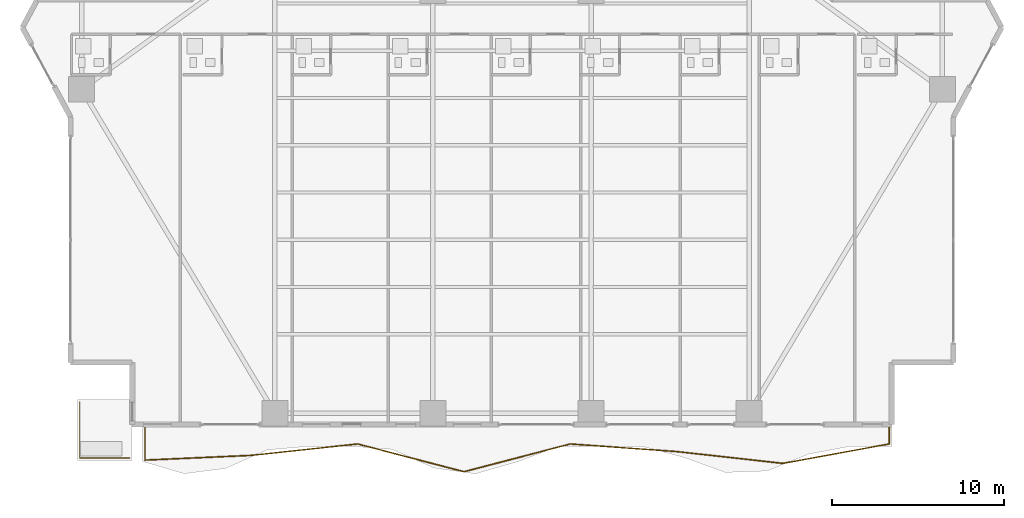
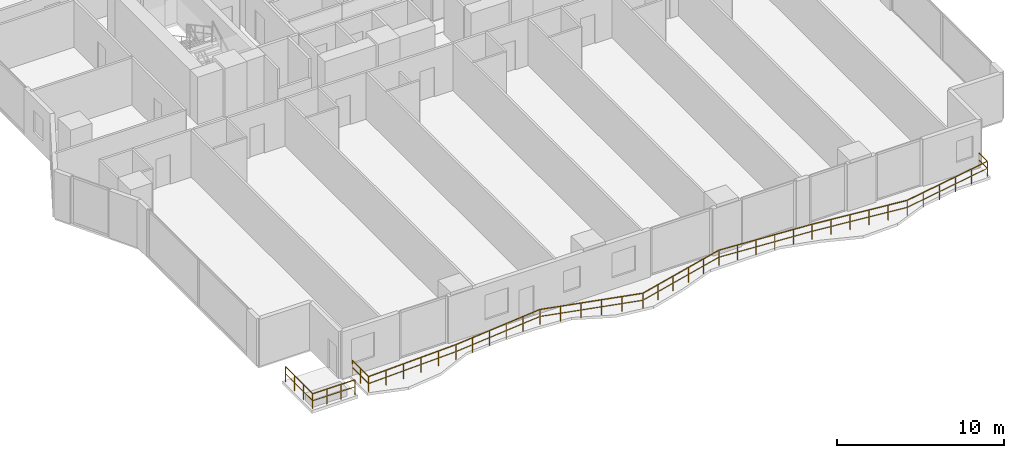
# One storey, part 24 of 28: 2 railings.
"""IFC4 building model written with IfcOpenShell, lengths in metres."""

from ifc_helpers import new_model, si_unit, direction, frame, origin, origin_2d, place, context, subcontext, project, spatial, rectangle, extrude, material, type_object, element, save


model = new_model("IFC4")

# Units and contexts
model_context = context("Model", 3, precision=1e-05, world=origin(), true_north=direction((0.0, 1.0)))
body_context = subcontext(model_context, "Body", "Model", "MODEL_VIEW")
ifc_project = project(units=[si_unit("LENGTHUNIT", "METRE"), si_unit("AREAUNIT", "SQUARE_METRE"), si_unit("VOLUMEUNIT", "CUBIC_METRE"), si_unit("PLANEANGLEUNIT", "RADIAN"), si_unit("MASSUNIT", "GRAM", prefix="KILO")], contexts=[model_context])

# Site, building, storey
site_placement = place(None, origin())
site = spatial("IfcSite", under=ifc_project, at=site_placement, CompositionType="ELEMENT")
building_placement = place(site_placement, origin())
building = spatial("IfcBuilding", under=site, at=building_placement, Name="Zuhayl Quay Hotel", CompositionType="ELEMENT")
storey_placement = place(building_placement, frame((0.0, 0.0, 34.89990234375)))
storey = spatial("IfcBuildingStorey", under=building, at=storey_placement, Name="L07", CompositionType="ELEMENT", Elevation=34.89990234375)

# Railings
ifc_material = material(Name="Anodised Aluminium and Laminated Glass", Category="aluminium")
railing_type = type_object("IfcRailingType", Name="RL_EXT_BAL_1100", PredefinedType="BALUSTRADE", material=ifc_material)
railing_1_placement = place(storey_placement, frame((-21.360107421875, -23.219970703125, 0.0)))
element("IfcRailing", 1, at=railing_1_placement, inside=storey, type_object=railing_type, Name="L07 Balcony and Terrace Guard GR_L07_BAL_S", PredefinedType="BALUSTRADE", context=body_context, shape_type="SweptSolid", body=[
    extrude(rectangle(XDim=0.048095703125, YDim=0.048095703125, at=origin_2d()), frame((0.0, 0.0, 1.09619140625), z_axis=(0.0, -1.0, 0.0), x_axis=(1.0, 0.0, 0.0)), (0.0, 0.0, 1.0), 1.96044921875),
    extrude(rectangle(XDim=0.0361328125, YDim=0.0361328125, at=origin_2d()), frame((0.0, 0.0, 0.58251953125), z_axis=(0.0, -1.0, 0.0), x_axis=(1.0, 0.0, 0.0)), (0.0, 0.0, 1.0), 1.96044921875),
    extrude(rectangle(XDim=0.048095703125, YDim=0.048095703125, at=origin_2d()), frame((0.0, -1.96044921875, 1.09619140625), z_axis=(0.999004383164, 0.044612133092, 0.0), x_axis=(-0.044612133092, 0.999004383164, 0.0)), (0.0, 0.0, 1.0), 6.19482421875),
    extrude(rectangle(XDim=0.0361328125, YDim=0.0361328125, at=origin_2d()), frame((0.0, -1.96044921875, 0.58251953125), z_axis=(0.999004383164, 0.044612133092, 0.0), x_axis=(-0.044612133092, 0.999004383164, 0.0)), (0.0, 0.0, 1.0), 6.19482421875),
    extrude(rectangle(XDim=0.048095703125, YDim=0.048095703125, at=origin_2d()), frame((6.188720703125, -1.68408203125, 1.09619140625), z_axis=(0.994291927159, 0.106693784199, 0.0), x_axis=(-0.106693784199, 0.994291927159, 0.0)), (0.0, 0.0, 1.0), 6.22412109375),
    extrude(rectangle(XDim=0.0361328125, YDim=0.0361328125, at=origin_2d()), frame((6.188720703125, -1.68408203125, 0.58251953125), z_axis=(0.994291927159, 0.106693784199, 0.0), x_axis=(-0.106693784199, 0.994291927159, 0.0)), (0.0, 0.0, 1.0), 6.22412109375),
    extrude(rectangle(XDim=0.048095703125, YDim=0.048095703125, at=origin_2d()), frame((12.377197265625, -1.02001953125, 1.09619140625), z_axis=(0.96759659601, -0.252501143343, 0.0), x_axis=(0.252501143343, 0.96759659601, 0.0)), (0.0, 0.0, 1.0), 6.39599609375),
    extrude(rectangle(XDim=0.0361328125, YDim=0.0361328125, at=origin_2d()), frame((12.377197265625, -1.02001953125, 0.58251953125), z_axis=(0.96759659601, -0.252501143343, 0.0), x_axis=(0.252501143343, 0.96759659601, 0.0)), (0.0, 0.0, 1.0), 6.39599609375),
    extrude(rectangle(XDim=0.048095703125, YDim=0.048095703125, at=origin_2d()), frame((18.56591796875, -2.635009765625, 1.09619140625), z_axis=(0.967594162214, 0.252510469585, 0.0), x_axis=(-0.252510469585, 0.967594162214, 0.0)), (0.0, 0.0, 1.0), 6.395751953125),
    extrude(rectangle(XDim=0.0361328125, YDim=0.0361328125, at=origin_2d()), frame((18.56591796875, -2.635009765625, 0.58251953125), z_axis=(0.967594162214, 0.252510469585, 0.0), x_axis=(-0.252510469585, 0.967594162214, 0.0)), (0.0, 0.0, 1.0), 6.395751953125),
    extrude(rectangle(XDim=0.048095703125, YDim=0.048095703125, at=origin_2d()), frame((24.75439453125, -1.02001953125, 1.09619140625), z_axis=(0.99744369741, -0.07145677362, 0.0), x_axis=(0.07145677362, 0.99744369741, 0.0)), (0.0, 0.0, 1.0), 6.20458984375),
    extrude(rectangle(XDim=0.0361328125, YDim=0.0361328125, at=origin_2d()), frame((24.75439453125, -1.02001953125, 0.58251953125), z_axis=(0.99744369741, -0.07145677362, 0.0), x_axis=(0.07145677362, 0.99744369741, 0.0)), (0.0, 0.0, 1.0), 6.20458984375),
    extrude(rectangle(XDim=0.048095703125, YDim=0.048095703125, at=origin_2d()), frame((30.943115234375, -1.46337890625, 1.09619140625), z_axis=(0.993915730952, -0.110143178485, 0.0), x_axis=(0.110143178485, 0.993915730952, 0.0)), (0.0, 0.0, 1.0), 6.226318359375),
    extrude(rectangle(XDim=0.0361328125, YDim=0.0361328125, at=origin_2d()), frame((30.943115234375, -1.46337890625, 0.58251953125), z_axis=(0.993915730952, -0.110143178485, 0.0), x_axis=(0.110143178485, 0.993915730952, 0.0)), (0.0, 0.0, 1.0), 6.226318359375),
    extrude(rectangle(XDim=0.048095703125, YDim=0.048095703125, at=origin_2d()), frame((37.131591796875, -2.149169921875, 1.09619140625), z_axis=(0.983758568026, 0.179496740458, 0.0), x_axis=(-0.179496740458, 0.983758568026, 0.0)), (0.0, 0.0, 1.0), 6.29052734375),
    extrude(rectangle(XDim=0.0361328125, YDim=0.0361328125, at=origin_2d()), frame((37.131591796875, -2.149169921875, 0.58251953125), z_axis=(0.983758568026, 0.179496740458, 0.0), x_axis=(-0.179496740458, 0.983758568026, 0.0)), (0.0, 0.0, 1.0), 6.29052734375),
    extrude(rectangle(XDim=0.048095703125, YDim=0.048095703125, at=origin_2d()), frame((43.320068359375, -1.02001953125, 1.09619140625), z_axis=(0.0, 1.0, 0.0), x_axis=(-1.0, 0.0, 0.0)), (0.0, 0.0, 1.0), 1.02001953125),
    extrude(rectangle(XDim=0.0361328125, YDim=0.0361328125, at=origin_2d()), frame((43.320068359375, -1.02001953125, 0.58251953125), z_axis=(0.0, 1.0, 0.0), x_axis=(-1.0, 0.0, 0.0)), (0.0, 0.0, 1.0), 1.02001953125),
    extrude(rectangle(XDim=0.0419921875, YDim=0.0419921875, at=origin_2d()), origin(), (0.0, 0.0, 1.0), 1.072021484375),
    extrude(rectangle(XDim=0.0419921875, YDim=0.0419921875, at=origin_2d()), frame((0.0, -0.980224609375, 0.0)), (0.0, 0.0, 1.0), 1.072021484375),
    extrude(rectangle(XDim=0.0419921875, YDim=0.0419921875, at=origin_2d()), frame((0.0, -1.96044921875, 0.0)), (0.0, 0.0, 1.0), 1.072021484375),
    extrude(rectangle(XDim=0.0419921875, YDim=0.0419921875, at=origin_2d()), frame((1.23779296875, -1.9052734375, 0.0)), (0.0, 0.0, 1.0), 1.072021484375),
    extrude(rectangle(XDim=0.0419921875, YDim=0.0419921875, at=origin_2d()), frame((2.4755859375, -1.849853515625, 0.0)), (0.0, 0.0, 1.0), 1.072021484375),
    extrude(rectangle(XDim=0.0419921875, YDim=0.0419921875, at=origin_2d()), frame((3.713134765625, -1.794677734375, 0.0)), (0.0, 0.0, 1.0), 1.072021484375),
    extrude(rectangle(XDim=0.0419921875, YDim=0.0419921875, at=origin_2d()), frame((4.950927734375, -1.7392578125, 0.0)), (0.0, 0.0, 1.0), 1.072021484375),
    extrude(rectangle(XDim=0.0419921875, YDim=0.0419921875, at=origin_2d()), frame((6.188720703125, -1.68408203125, 0.0)), (0.0, 0.0, 1.0), 1.072021484375),
    extrude(rectangle(XDim=0.0419921875, YDim=0.0419921875, at=origin_2d()), frame((7.426513671875, -1.55126953125, 0.0)), (0.0, 0.0, 1.0), 1.072021484375),
    extrude(rectangle(XDim=0.0419921875, YDim=0.0419921875, at=origin_2d()), frame((8.6640625, -1.41845703125, 0.0)), (0.0, 0.0, 1.0), 1.072021484375),
    extrude(rectangle(XDim=0.0419921875, YDim=0.0419921875, at=origin_2d()), frame((9.90185546875, -1.28564453125, 0.0)), (0.0, 0.0, 1.0), 1.072021484375),
    extrude(rectangle(XDim=0.0419921875, YDim=0.0419921875, at=origin_2d()), frame((11.139404296875, -1.15283203125, 0.0)), (0.0, 0.0, 1.0), 1.072021484375),
    extrude(rectangle(XDim=0.0419921875, YDim=0.0419921875, at=origin_2d()), frame((12.377197265625, -1.02001953125, 0.0)), (0.0, 0.0, 1.0), 1.072021484375),
    extrude(rectangle(XDim=0.0419921875, YDim=0.0419921875, at=origin_2d()), frame((13.614990234375, -1.343017578125, 0.0)), (0.0, 0.0, 1.0), 1.072021484375),
    extrude(rectangle(XDim=0.0419921875, YDim=0.0419921875, at=origin_2d()), frame((14.852783203125, -1.666015625, 0.0)), (0.0, 0.0, 1.0), 1.072021484375),
    extrude(rectangle(XDim=0.0419921875, YDim=0.0419921875, at=origin_2d()), frame((16.09033203125, -1.989013671875, 0.0)), (0.0, 0.0, 1.0), 1.072021484375),
    extrude(rectangle(XDim=0.0419921875, YDim=0.0419921875, at=origin_2d()), frame((17.328125, -2.31201171875, 0.0)), (0.0, 0.0, 1.0), 1.072021484375),
    extrude(rectangle(XDim=0.0419921875, YDim=0.0419921875, at=origin_2d()), frame((18.56591796875, -2.635009765625, 0.0)), (0.0, 0.0, 1.0), 1.072021484375),
    extrude(rectangle(XDim=0.0419921875, YDim=0.0419921875, at=origin_2d()), frame((19.8037109375, -2.31201171875, 0.0)), (0.0, 0.0, 1.0), 1.072021484375),
    extrude(rectangle(XDim=0.0419921875, YDim=0.0419921875, at=origin_2d()), frame((21.041259765625, -1.989013671875, 0.0)), (0.0, 0.0, 1.0), 1.072021484375),
    extrude(rectangle(XDim=0.0419921875, YDim=0.0419921875, at=origin_2d()), frame((22.279052734375, -1.666015625, 0.0)), (0.0, 0.0, 1.0), 1.072021484375),
    extrude(rectangle(XDim=0.0419921875, YDim=0.0419921875, at=origin_2d()), frame((23.5166015625, -1.343017578125, 0.0)), (0.0, 0.0, 1.0), 1.072021484375),
    extrude(rectangle(XDim=0.0419921875, YDim=0.0419921875, at=origin_2d()), frame((24.75439453125, -1.02001953125, 0.0)), (0.0, 0.0, 1.0), 1.072021484375),
    extrude(rectangle(XDim=0.0419921875, YDim=0.0419921875, at=origin_2d()), frame((25.9921875, -1.108642578125, 0.0)), (0.0, 0.0, 1.0), 1.072021484375),
    extrude(rectangle(XDim=0.0419921875, YDim=0.0419921875, at=origin_2d()), frame((27.22998046875, -1.197265625, 0.0)), (0.0, 0.0, 1.0), 1.072021484375),
    extrude(rectangle(XDim=0.0419921875, YDim=0.0419921875, at=origin_2d()), frame((28.467529296875, -1.2861328125, 0.0)), (0.0, 0.0, 1.0), 1.072021484375),
    extrude(rectangle(XDim=0.0419921875, YDim=0.0419921875, at=origin_2d()), frame((29.705322265625, -1.374755859375, 0.0)), (0.0, 0.0, 1.0), 1.072021484375),
    extrude(rectangle(XDim=0.0419921875, YDim=0.0419921875, at=origin_2d()), frame((30.943115234375, -1.46337890625, 0.0)), (0.0, 0.0, 1.0), 1.072021484375),
    extrude(rectangle(XDim=0.0419921875, YDim=0.0419921875, at=origin_2d()), frame((32.180908203125, -1.6005859375, 0.0)), (0.0, 0.0, 1.0), 1.072021484375),
    extrude(rectangle(XDim=0.0419921875, YDim=0.0419921875, at=origin_2d()), frame((33.41845703125, -1.73779296875, 0.0)), (0.0, 0.0, 1.0), 1.072021484375),
    extrude(rectangle(XDim=0.0419921875, YDim=0.0419921875, at=origin_2d()), frame((34.65625, -1.874755859375, 0.0)), (0.0, 0.0, 1.0), 1.072021484375),
    extrude(rectangle(XDim=0.0419921875, YDim=0.0419921875, at=origin_2d()), frame((35.893798828125, -2.011962890625, 0.0)), (0.0, 0.0, 1.0), 1.072021484375),
    extrude(rectangle(XDim=0.0419921875, YDim=0.0419921875, at=origin_2d()), frame((37.131591796875, -2.149169921875, 0.0)), (0.0, 0.0, 1.0), 1.072021484375),
    extrude(rectangle(XDim=0.0419921875, YDim=0.0419921875, at=origin_2d()), frame((38.369384765625, -1.92333984375, 0.0)), (0.0, 0.0, 1.0), 1.072021484375),
    extrude(rectangle(XDim=0.0419921875, YDim=0.0419921875, at=origin_2d()), frame((39.60693359375, -1.697509765625, 0.0)), (0.0, 0.0, 1.0), 1.072021484375),
    extrude(rectangle(XDim=0.0419921875, YDim=0.0419921875, at=origin_2d()), frame((40.8447265625, -1.4716796875, 0.0)), (0.0, 0.0, 1.0), 1.072021484375),
    extrude(rectangle(XDim=0.0419921875, YDim=0.0419921875, at=origin_2d()), frame((42.082275390625, -1.245849609375, 0.0)), (0.0, 0.0, 1.0), 1.072021484375),
    extrude(rectangle(XDim=0.0419921875, YDim=0.0419921875, at=origin_2d()), frame((43.320068359375, -1.02001953125, 0.0)), (0.0, 0.0, 1.0), 1.072021484375),
    extrude(rectangle(XDim=0.0419921875, YDim=0.0419921875, at=origin_2d()), frame((43.320068359375, 0.0, 0.0)), (0.0, 0.0, 1.0), 1.072021484375),
])
railing_2_placement = place(storey_placement, frame((-25.159912109375, -21.7900390625, 0.0)))
element("IfcRailing", 2, at=railing_2_placement, inside=storey, type_object=railing_type, Name="L07 Balcony and Terrace Guard GR_L07_SPIRAL_SW", PredefinedType="BALUSTRADE", context=body_context, shape_type="SweptSolid", body=[
    extrude(rectangle(XDim=0.048095703125, YDim=0.048095703125, at=origin_2d()), frame((0.0, 0.0, 1.09619140625), z_axis=(0.0, -1.0, 0.0), x_axis=(1.0, 0.0, 0.0)), (0.0, 0.0, 1.0), 3.27001953125),
    extrude(rectangle(XDim=0.0361328125, YDim=0.0361328125, at=origin_2d()), frame((0.0, 0.0, 0.58251953125), z_axis=(0.0, -1.0, 0.0), x_axis=(1.0, 0.0, 0.0)), (0.0, 0.0, 1.0), 3.27001953125),
    extrude(rectangle(XDim=0.048095703125, YDim=0.048095703125, at=origin_2d()), frame((0.0, -3.27001953125, 1.09619140625), z_axis=(1.0, 0.0, 0.0), x_axis=(0.0, 1.0, 0.0)), (0.0, 0.0, 1.0), 2.919921875),
    extrude(rectangle(XDim=0.0361328125, YDim=0.0361328125, at=origin_2d()), frame((0.0, -3.27001953125, 0.58251953125), z_axis=(1.0, 0.0, 0.0), x_axis=(0.0, 1.0, 0.0)), (0.0, 0.0, 1.0), 2.919921875),
    extrude(rectangle(XDim=0.0419921875, YDim=0.0419921875, at=origin_2d()), origin(), (0.0, 0.0, 1.0), 1.072021484375),
    extrude(rectangle(XDim=0.0419921875, YDim=0.0419921875, at=origin_2d()), frame((0.0, -1.090087890625, 0.0)), (0.0, 0.0, 1.0), 1.072021484375),
    extrude(rectangle(XDim=0.0419921875, YDim=0.0419921875, at=origin_2d()), frame((0.0, -2.179931640625, 0.0)), (0.0, 0.0, 1.0), 1.072021484375),
    extrude(rectangle(XDim=0.0419921875, YDim=0.0419921875, at=origin_2d()), frame((0.0, -3.27001953125, 0.0)), (0.0, 0.0, 1.0), 1.072021484375),
    extrude(rectangle(XDim=0.0419921875, YDim=0.0419921875, at=origin_2d()), frame((0.973388671875, -3.27001953125, 0.0)), (0.0, 0.0, 1.0), 1.072021484375),
    extrude(rectangle(XDim=0.0419921875, YDim=0.0419921875, at=origin_2d()), frame((1.946533203125, -3.27001953125, 0.0)), (0.0, 0.0, 1.0), 1.072021484375),
    extrude(rectangle(XDim=0.0419921875, YDim=0.0419921875, at=origin_2d()), frame((2.919921875, -3.27001953125, 0.0)), (0.0, 0.0, 1.0), 1.072021484375),
])

save(model, "model.ifc")
